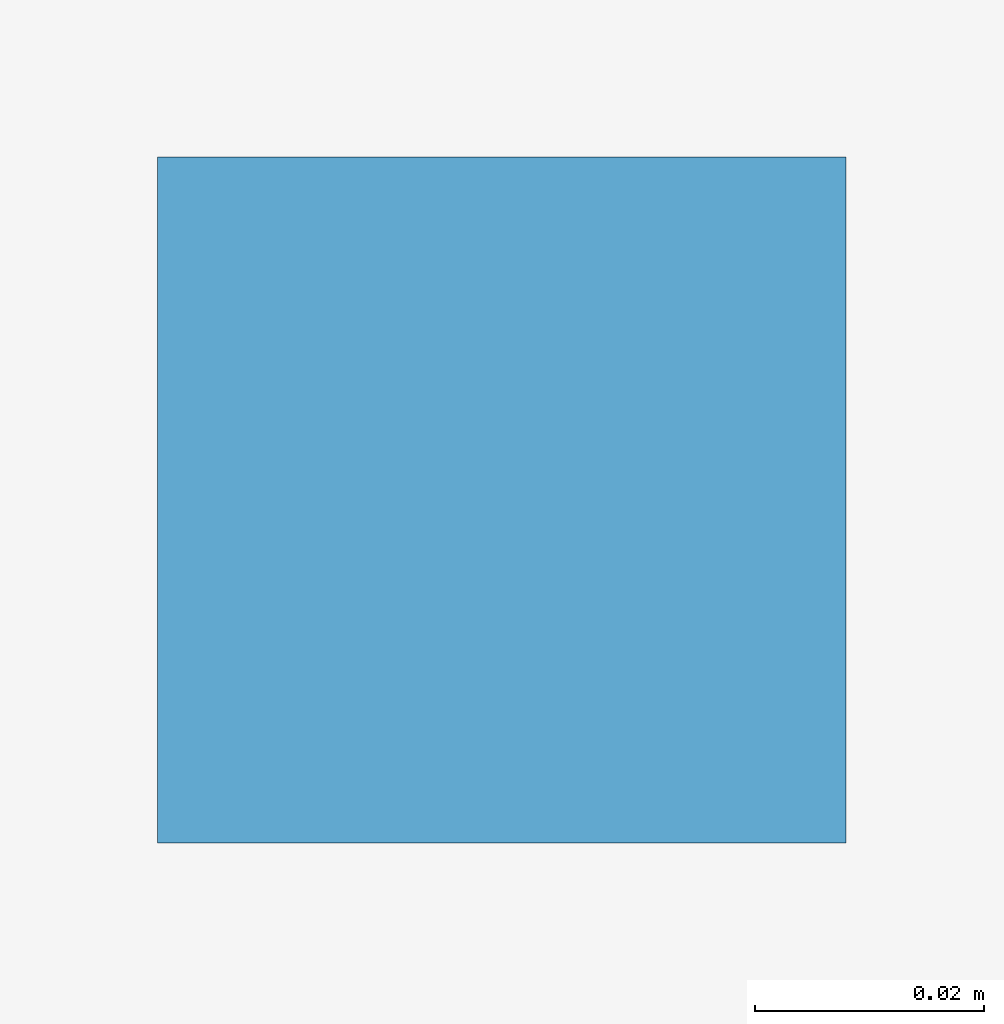
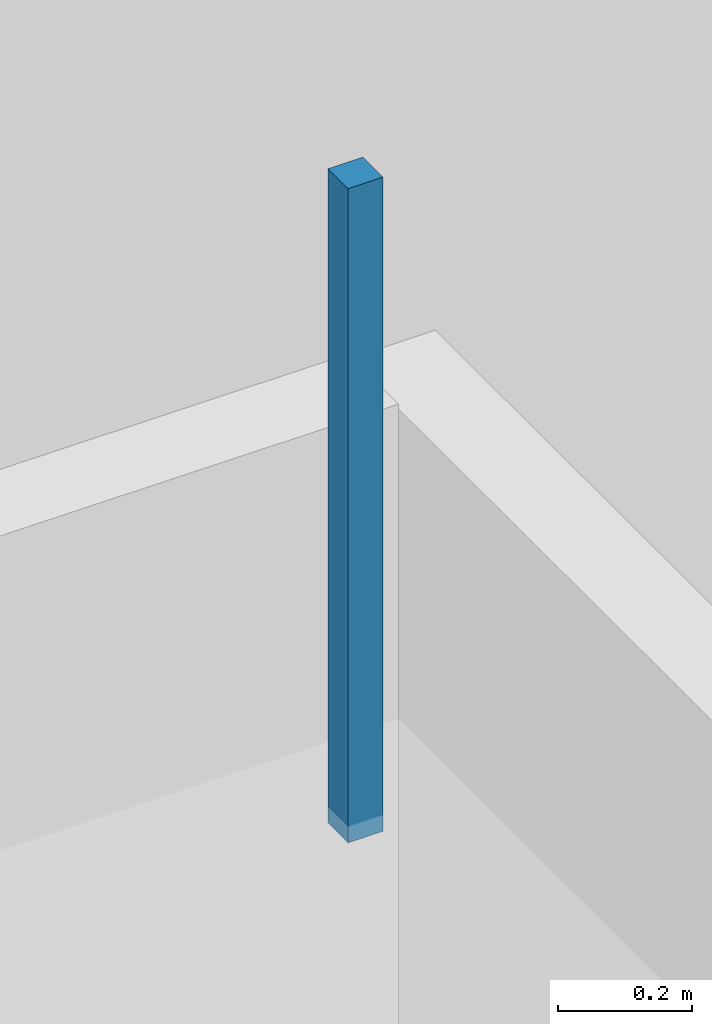
# One storey, part 27 of 41: 1 discrete accessory.
"""IFC4 building model written with IfcOpenShell, lengths in metres."""

import ifcopenshell
import ifcopenshell.guid

model = None  # the IFC model being written
_history = None  # IfcOwnerHistory: only IFC2X3 demands one
_inside = {}  # id of a spatial element -> (the spatial element, [elements in it])
_under = {}  # id of a project, library or spatial element -> (it, [spatial elements below it])
_declared = {}  # id of a project -> (the project, [libraries it declares])
_typed = {}  # id of a type object -> (the type object, [elements of that type])
_made_of = {}  # id of a material, layer set ... -> (it, [elements and type objects made of it])


def new_model(schema):
    """Start an empty IFC model of exactly this schema.

    Asked for "IFC4X3", IfcOpenShell would pick the latest addendum, in which some entities
    have other attributes; the version numbers below select the first issue.
    IFC2X3 requires an IfcOwnerHistory on every rooted entity: one is made here for all.
    """
    global model, _history
    if schema == "IFC4X3":
        model = ifcopenshell.file(schema_version=(4, 3, 0, 0))
    else:
        model = ifcopenshell.file(schema=schema)
    _inside.clear()
    _under.clear()
    _declared.clear()
    _typed.clear()
    _made_of.clear()
    _history = None
    if model.schema == "IFC2X3":
        org = make("IfcOrganization", Name="unknown")
        user = make(
            "IfcPersonAndOrganization",
            ThePerson=make("IfcPerson", FamilyName="unknown"),
            TheOrganization=org,
        )
        app = make(
            "IfcApplication",
            ApplicationDeveloper=org,
            Version="unknown",
            ApplicationFullName="unknown",
            ApplicationIdentifier="unknown",
        )
        _history = make(
            "IfcOwnerHistory",
            OwningUser=user,
            OwningApplication=app,
            ChangeAction="ADDED",
            CreationDate=0,
        )
    return model


def make(cls, **values):
    """One entity of the class cls with the attributes given. An attribute that is None is left unset."""
    return model.create_entity(
        cls, **{name: value for name, value in values.items() if value is not None}
    )


def rooted(cls, **values):
    """An entity with a GlobalId (a new one), such as an element, a storey or a relation."""
    return make(cls, GlobalId=ifcopenshell.guid.new(), OwnerHistory=_history, **values)


def si_unit(unit_type, name, prefix=None):
    """IfcSIUnit, for example si_unit("LENGTHUNIT", "METRE", prefix="MILLI")."""
    return make("IfcSIUnit", UnitType=unit_type, Prefix=prefix, Name=name)


def assignment(units):
    """IfcUnitAssignment: the units of a project."""
    return None if units is None else make("IfcUnitAssignment", Units=units)


def point(xyz):
    """IfcCartesianPoint."""
    return None if xyz is None else make("IfcCartesianPoint", Coordinates=xyz)


def direction(xyz):
    """IfcDirection."""
    return None if xyz is None else make("IfcDirection", DirectionRatios=xyz)


def frame(location, z_axis=None, x_axis=None):
    """IfcAxis2Placement3D, a coordinate frame: its origin and axes. An axis left out is left unset."""
    return make(
        "IfcAxis2Placement3D",
        Location=point(location),
        Axis=direction(z_axis),
        RefDirection=direction(x_axis),
    )


def origin():
    """The frame at (0, 0, 0) with its axes left unset."""
    return frame((0.0, 0.0, 0.0))


def place(relative_to, where):
    """IfcLocalPlacement: puts the frame where relative to a parent placement (None: the world)."""
    return make(
        "IfcLocalPlacement", PlacementRelTo=relative_to, RelativePlacement=where
    )


def context(
    kind, dimensions, precision=None, world=None, true_north=None, identifier=None
):
    """IfcGeometricRepresentationContext, for example the 3D "Model" context."""
    return make(
        "IfcGeometricRepresentationContext",
        ContextIdentifier=identifier,
        ContextType=kind,
        CoordinateSpaceDimension=dimensions,
        Precision=precision,
        WorldCoordinateSystem=world,
        TrueNorth=true_north,
    )


def subcontext(parent, identifier, kind, view, scale=None):
    """IfcGeometricRepresentationSubContext, for example "Body" below "Model"."""
    return make(
        "IfcGeometricRepresentationSubContext",
        ContextIdentifier=identifier,
        ContextType=kind,
        ParentContext=parent,
        TargetScale=scale,
        TargetView=view,
    )


def project(units=None, contexts=None):
    """IfcProject with its units and contexts."""
    return rooted(
        "IfcProject",
        Name="project",
        RepresentationContexts=contexts,
        UnitsInContext=assignment(units),
    )


def spatial(cls, under=None, at=None, **own):
    """A site, building, storey or space (cls), placed at a placement, below another one or the project."""
    s = rooted(cls, ObjectPlacement=at, **own)
    if under is not None:
        _under.setdefault(under.id(), (under, []))[1].append(s)
    return s


def polyline(points):
    """IfcPolyline through the points."""
    return make("IfcPolyline", Points=[point(p) for p in points])


def outline(outer, holes=None, kind="AREA"):
    """IfcArbitraryClosedProfileDef: a profile drawn as a closed curve; with holes, ...WithVoids."""
    if holes is None:
        return make("IfcArbitraryClosedProfileDef", ProfileType=kind, OuterCurve=outer)
    return make(
        "IfcArbitraryProfileDefWithVoids",
        ProfileType=kind,
        OuterCurve=outer,
        InnerCurves=holes,
    )


def extrude(swept, where, along, depth):
    """IfcExtrudedAreaSolid: the profile swept, set in the frame where, extruded along a direction by depth."""
    return make(
        "IfcExtrudedAreaSolid",
        SweptArea=swept,
        Position=where,
        ExtrudedDirection=direction(along),
        Depth=depth,
    )


def shape(context_of_items, identifier, shape_type, items):
    """IfcShapeRepresentation: the items that make up one representation, for example the "Body"."""
    return make(
        "IfcShapeRepresentation",
        ContextOfItems=context_of_items,
        RepresentationIdentifier=identifier,
        RepresentationType=shape_type,
        Items=items,
    )


def material(Name=None, Category=None):
    """IfcMaterial."""
    return make("IfcMaterial", Name=Name, Category=Category)


def made_of(thing, what):
    """Note that an element or type object is made of a material, layer set ...; save() writes the relation."""
    if what is not None:
        _made_of.setdefault(what.id(), (what, []))[1].append(thing)
    return thing


def type_object(cls, material=None, **own):
    """A type object (cls), such as IfcWallType, which elements share."""
    return made_of(rooted(cls, **own), material)


def element(
    cls,
    number,
    at=None,
    inside=None,
    cuts=None,
    type_object=None,
    material=None,
    context=None,
    identifier="Body",
    shape_type=None,
    held_by="IfcProductDefinitionShape",
    body=None,
    shapes=None,
    **own,
):
    """One element of the class cls, such as IfcWall. Its Tag is "e" and its number.

    at: its placement. inside: the storey or other place that contains it. cuts: it is an
    opening in that element (IfcRelVoidsElement). A single representation is given by context,
    identifier, shape_type and body (its items); several are given by shapes. held_by: the class
    of the entity that holds the representations. save() writes the other relations.
    """
    e = rooted(cls, Tag="e%d" % number, ObjectPlacement=at, **own)
    if body is not None:
        shapes = [shape(context, identifier, shape_type, body)]
    if shapes is not None:
        e.Representation = make(held_by, Representations=shapes)
    if inside is not None:
        _inside.setdefault(inside.id(), (inside, []))[1].append(e)
    if cuts is not None:
        rooted(
            "IfcRelVoidsElement", RelatingBuildingElement=cuts, RelatedOpeningElement=e
        )
    if type_object is not None:
        _typed.setdefault(type_object.id(), (type_object, []))[1].append(e)
    return made_of(e, material)


def aggregate(whole, parts):
    """IfcRelAggregates: a whole, such as a stair, and the parts it consists of."""
    return rooted("IfcRelAggregates", RelatingObject=whole, RelatedObjects=parts)


def save(model, path):
    """Write the relations noted so far, then the file.

    IfcRelAggregates (storeys below a building ...), IfcRelContainedInSpatialStructure (elements
    in a storey), IfcRelDefinesByType, IfcRelAssociatesMaterial and IfcRelDeclares: one each for
    every whole, place, type object, material and project.
    """
    for whole, parts in _under.values():
        aggregate(whole, parts)
    for where, things in _inside.values():
        rooted(
            "IfcRelContainedInSpatialStructure",
            RelatedElements=things,
            RelatingStructure=where,
        )
    for kind, things in _typed.values():
        rooted("IfcRelDefinesByType", RelatedObjects=things, RelatingType=kind)
    for what, things in _made_of.values():
        rooted("IfcRelAssociatesMaterial", RelatedObjects=things, RelatingMaterial=what)
    for by, libraries in _declared.values():
        rooted("IfcRelDeclares", RelatingContext=by, RelatedDefinitions=libraries)
    model.write(path)


model = new_model("IFC4")

# Units and contexts
model_context = context("Model", 3, precision=1e-05, world=origin(), true_north=direction((0.0, 1.0)))
body_context = subcontext(model_context, "Body", "Model", "MODEL_VIEW")
ifc_project = project(units=[si_unit("LENGTHUNIT", "METRE"), si_unit("AREAUNIT", "SQUARE_METRE"), si_unit("VOLUMEUNIT", "CUBIC_METRE"), si_unit("PLANEANGLEUNIT", "RADIAN"), si_unit("MASSUNIT", "GRAM", prefix="KILO")], contexts=[model_context])

# Site, building, storey
site_placement = place(None, origin())
site = spatial("IfcSite", under=ifc_project, at=site_placement, CompositionType="ELEMENT")
building_placement = place(site_placement, origin())
building = spatial("IfcBuilding", under=site, at=building_placement, Name="Dunescarp Central Library", CompositionType="ELEMENT")
storey_placement = place(building_placement, frame((0.0, 0.0, 23.10009765625)))
storey = spatial("IfcBuildingStorey", under=building, at=storey_placement, Name="L05", CompositionType="ELEMENT", Elevation=23.10009765625)

# Discrete accessory
ifc_material = material(Name="Stainless steel Grade 316L", Category="steel")
discrete_accessory_type = type_object("IfcDiscreteAccessoryType", Name="ARC-ACC-BRK", PredefinedType="BRACKET", material=ifc_material)
discrete_accessory_placement = place(storey_placement, frame((0.0, 0.0, 3.059814453125)))
element("IfcDiscreteAccessory", 1, at=discrete_accessory_placement, inside=storey, type_object=discrete_accessory_type, Name="L05 ceiling hanger CLG-L05-039-H2", PredefinedType="BRACKET", context=body_context, shape_type="SweptSolid", body=[
    extrude(outline(polyline([(5.919921875, 29.820068359375), (5.97998046875, 29.820068359375), (5.97998046875, 29.8798828125), (5.919921875, 29.8798828125), (5.919921875, 29.820068359375)])), origin(), (0.0, 0.0, 1.0), 1.190185546875),
])

save(model, "model.ifc")
